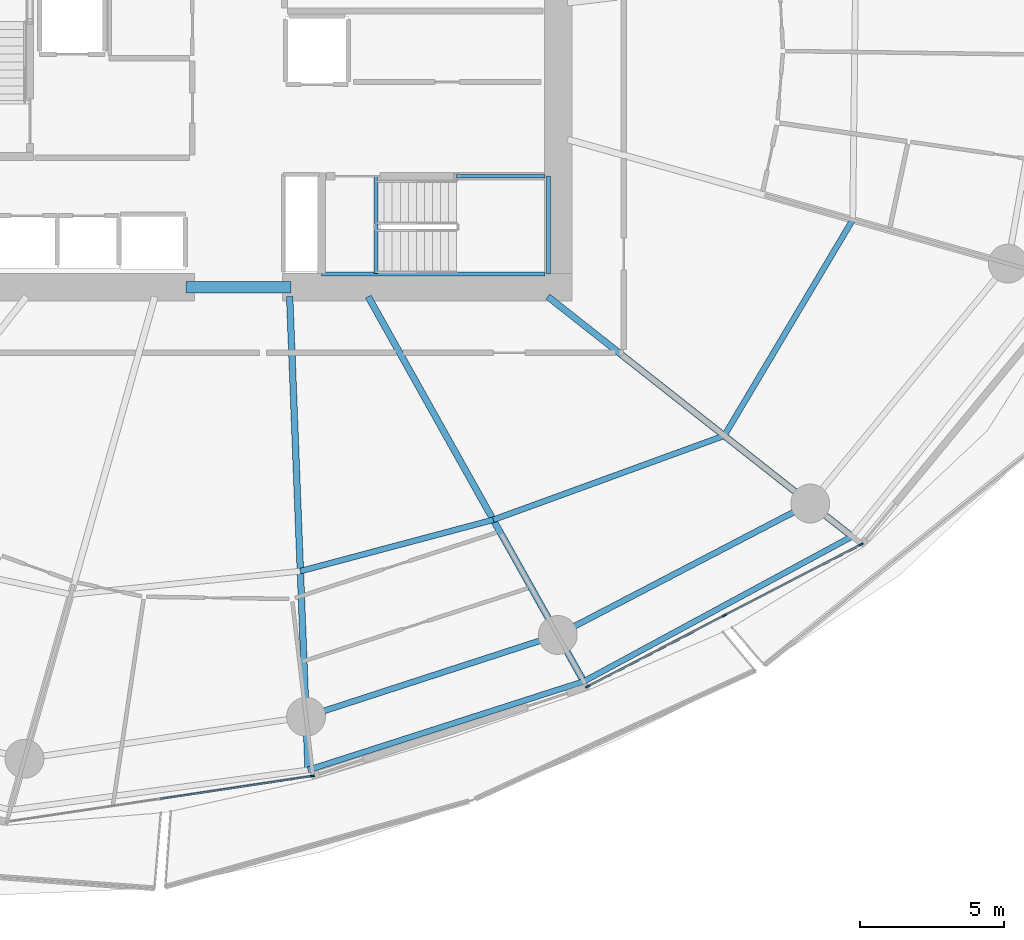
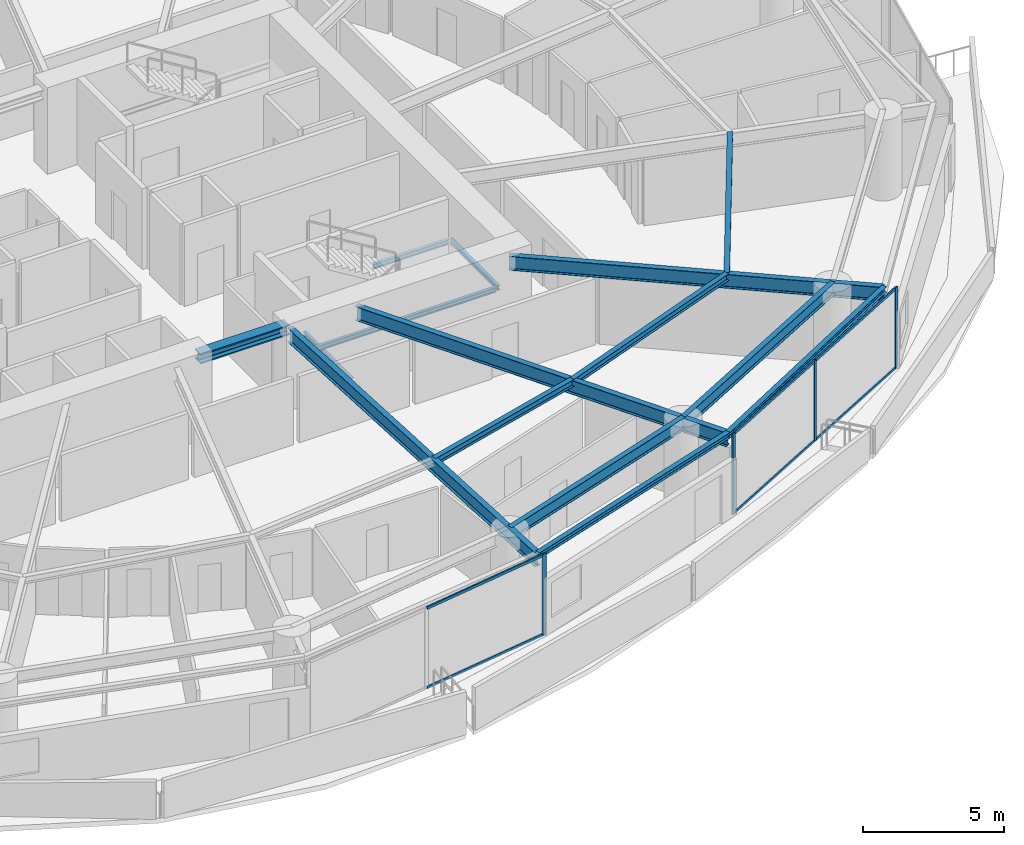
# One storey, part 10 of 31: 15 beams, 10 members, 2 elements without a shape of their own.
"""IFC4 building model written with IfcOpenShell, lengths in metres."""

from ifc_helpers import new_model, si_unit, direction, frame, origin, origin_2d, place, context, subcontext, project, spatial, rectangle, i_section, extrude, material, layer, layer_set, material_profile, profile_set, type_object, element, aggregate, save


model = new_model("IFC4")

# Units and contexts
model_context = context("Model", 3, precision=1e-05, world=origin(), true_north=direction((0.0, 1.0)))
body_context = subcontext(model_context, "Body", "Model", "MODEL_VIEW")
ifc_project = project(units=[si_unit("LENGTHUNIT", "METRE"), si_unit("AREAUNIT", "SQUARE_METRE"), si_unit("VOLUMEUNIT", "CUBIC_METRE"), si_unit("PLANEANGLEUNIT", "RADIAN"), si_unit("MASSUNIT", "GRAM", prefix="KILO")], contexts=[model_context])

# Site, building, storey
site_placement = place(None, origin())
site = spatial("IfcSite", under=ifc_project, at=site_placement, CompositionType="ELEMENT")
building_placement = place(site_placement, origin())
building = spatial("IfcBuilding", under=site, at=building_placement, Name="Kazma Halo Residences", CompositionType="ELEMENT")
storey_placement = place(building_placement, frame((0.0, 0.0, 48.89990234375)))
storey = spatial("IfcBuildingStorey", under=building, at=storey_placement, Name="L11", CompositionType="ELEMENT", Elevation=48.89990234375)

# Beams
ifc_material_1 = material(Name="Steel S355", Category="steel")
ifc_material_profile_1 = material_profile(ifc_material_1, i_section(OverallWidth=0.201904296875, OverallDepth=0.2470703125, WebThickness=0.00732421875, FlangeThickness=0.010986328125, FilletRadius=0.011962890625, at=origin_2d()), Name="W250x49.1")
ifc_profile_set_1 = profile_set([ifc_material_profile_1], Name="Steel S355")
beam_type_1 = type_object("IfcBeamType", Name="BM-BAL-CANT", PredefinedType="BEAM", material=ifc_profile_set_1)
beam_1_placement = place(storey_placement, frame((50.84033203125, 16.761962890625, 3.376708984375), z_axis=(0.952101049535, 0.305783569662, 0.0), x_axis=(-0.305783569662, 0.952101049535, 0.0)))
element("IfcBeam", 1, at=beam_1_placement, inside=storey, type_object=beam_type_1, Name="L11 wave-balcony tie beam 12", PredefinedType="BEAM", context=body_context, shape_type="SweptSolid", body=[
    extrude(i_section(OverallWidth=0.201904296875, OverallDepth=0.2470703125, WebThickness=0.00732421875, FlangeThickness=0.010986328125, FilletRadius=0.011962890625, at=origin_2d()), origin(), (0.0, 0.0, 1.0), 10.053466796875),
])
beam_2_placement = place(storey_placement, frame((60.412353515625, 19.836181640625, 3.376708984375), z_axis=(0.879759421466, 0.47541914175, 0.0), x_axis=(-0.47541914175, 0.879759421466, 0.0)))
element("IfcBeam", 2, at=beam_2_placement, inside=storey, type_object=beam_type_1, Name="L11 wave-balcony tie beam 13", PredefinedType="BEAM", context=body_context, shape_type="SweptSolid", body=[
    extrude(i_section(OverallWidth=0.201904296875, OverallDepth=0.2470703125, WebThickness=0.00732421875, FlangeThickness=0.010986328125, FilletRadius=0.011962890625, at=origin_2d()), origin(), (0.0, 0.0, 1.0), 10.58935546875),
])
ifc_material_profile_2 = material_profile(ifc_material_1, i_section(OverallWidth=0.408935546875, OverallDepth=0.425048828125, WebThickness=0.03271484375, FlangeThickness=0.052490234375, FilletRadius=0.02001953125, at=origin_2d()), Name="W360x421")
ifc_profile_set_2 = profile_set([ifc_material_profile_2], Name="Steel S355")
beam_type_2 = type_object("IfcBeamType", Name="BM-CORE-W360H", PredefinedType="BEAM", material=ifc_profile_set_2)
beam_3_placement = place(storey_placement, frame((46.60009765625, 33.52490234375, 3.28759765625), z_axis=(1.0, 0.0, 0.0), x_axis=(0.0, 1.0, 0.0)))
element("IfcBeam", 3, at=beam_3_placement, inside=storey, type_object=beam_type_2, Name="L11 core coupling beam S", PredefinedType="BEAM", context=body_context, shape_type="SweptSolid", body=[
    extrude(i_section(OverallWidth=0.408935546875, OverallDepth=0.425048828125, WebThickness=0.03271484375, FlangeThickness=0.052490234375, FilletRadius=0.02001953125, at=origin_2d()), origin(), (0.0, 0.0, 1.0), 3.64990234375),
])
ifc_material_profile_3 = material_profile(ifc_material_1, i_section(OverallWidth=0.22802734375, OverallDepth=0.60791015625, WebThickness=0.01123046875, FlangeThickness=0.017333984375, FilletRadius=0.01806640625, at=origin_2d()), Name="W610x113")
ifc_profile_set_3 = profile_set([ifc_material_profile_3], Name="Steel S355")
beam_type_3 = type_object("IfcBeamType", Name="BM-RAD-W610", PredefinedType="BEAM", material=ifc_profile_set_3)
beam_4_placement = place(storey_placement, frame((50.199951171875, 33.199951171875, 3.196044921875), z_axis=(0.038927845379, -0.999242024163, 0.0), x_axis=(0.999242024163, 0.038927845379, 0.0)))
element("IfcBeam", 4, at=beam_4_placement, inside=storey, type_object=beam_type_3, Name="L11 radial floor beam 12", PredefinedType="BEAM", context=body_context, shape_type="SweptSolid", body=[
    extrude(i_section(OverallWidth=0.22802734375, OverallDepth=0.60791015625, WebThickness=0.01123046875, FlangeThickness=0.017333984375, FilletRadius=0.01806640625, at=origin_2d()), origin(), (0.0, 0.0, 1.0), 16.450439453125),
])
beam_5_placement = place(storey_placement, frame((52.92822265625, 33.199951171875, 3.196044921875), z_axis=(0.488624239587, -0.872494328055, 0.0), x_axis=(0.872494328055, 0.488624239587, 0.0)))
element("IfcBeam", 5, at=beam_5_placement, inside=storey, type_object=beam_type_3, Name="L11 radial floor beam 13", PredefinedType="BEAM", context=body_context, shape_type="SweptSolid", body=[
    extrude(i_section(OverallWidth=0.22802734375, OverallDepth=0.60791015625, WebThickness=0.01123046875, FlangeThickness=0.017333984375, FilletRadius=0.01806640625, at=origin_2d()), origin(), (0.0, 0.0, 1.0), 15.316650390625),
])
beam_6_placement = place(storey_placement, frame((59.16259765625, 33.199951171875, 3.196044921875), z_axis=(0.785322437877, -0.619086963655, 0.0), x_axis=(0.619086963655, 0.785322437877, 0.0)))
element("IfcBeam", 6, at=beam_6_placement, inside=storey, type_object=beam_type_3, Name="L11 radial floor beam 14", PredefinedType="BEAM", context=body_context, shape_type="SweptSolid", body=[
    extrude(i_section(OverallWidth=0.22802734375, OverallDepth=0.60791015625, WebThickness=0.01123046875, FlangeThickness=0.017333984375, FilletRadius=0.01806640625, at=origin_2d()), origin(), (0.0, 0.0, 1.0), 13.454345703125),
])
ifc_material_profile_4 = material_profile(ifc_material_1, i_section(OverallWidth=0.202880859375, OverallDepth=0.302978515625, WebThickness=0.007568359375, FlangeThickness=0.01318359375, FilletRadius=0.013916015625, at=origin_2d()), Name="W310x60")
ifc_profile_set_4 = profile_set([ifc_material_profile_4], Name="Steel S355")
beam_type_4 = type_object("IfcBeamType", Name="BM-SEC-W310A", PredefinedType="JOIST", material=ifc_profile_set_4)
beam_7_placement = place(storey_placement, frame((50.5712890625, 23.666015625, 3.3486328125), z_axis=(0.966337757832, 0.257276772735, 0.0), x_axis=(-0.257276772735, 0.966337757832, 0.0)))
element("IfcBeam", 7, at=beam_7_placement, inside=storey, type_object=beam_type_4, Name="L11 circumferential floor joist 12", PredefinedType="JOIST", context=body_context, shape_type="SweptSolid", body=[
    extrude(i_section(OverallWidth=0.202880859375, OverallDepth=0.302978515625, WebThickness=0.007568359375, FlangeThickness=0.01318359375, FilletRadius=0.013916015625, at=origin_2d()), origin(), (0.0, 0.0, 1.0), 6.93115234375),
])
beam_8_placement = place(storey_placement, frame((57.26904296875, 25.44921875, 3.3486328125), z_axis=(0.939695690299, 0.34201170979, 0.0), x_axis=(-0.34201170979, 0.939695690299, 0.0)))
element("IfcBeam", 8, at=beam_8_placement, inside=storey, type_object=beam_type_4, Name="L11 circumferential floor joist 13", PredefinedType="JOIST", context=body_context, shape_type="SweptSolid", body=[
    extrude(i_section(OverallWidth=0.202880859375, OverallDepth=0.302978515625, WebThickness=0.007568359375, FlangeThickness=0.01318359375, FilletRadius=0.013916015625, at=origin_2d()), origin(), (0.0, 0.0, 1.0), 8.536865234375),
])
beam_9_placement = place(storey_placement, frame((65.291015625, 28.368896484375, 3.3486328125), z_axis=(0.511331320511, 0.859383663252, 0.0), x_axis=(-0.859383663252, 0.511331320511, 0.0)))
element("IfcBeam", 9, at=beam_9_placement, inside=storey, type_object=beam_type_4, Name="L11 circumferential floor joist 14", PredefinedType="JOIST", context=body_context, shape_type="SweptSolid", body=[
    extrude(i_section(OverallWidth=0.202880859375, OverallDepth=0.302978515625, WebThickness=0.007568359375, FlangeThickness=0.01318359375, FilletRadius=0.013916015625, at=origin_2d()), origin(), (0.0, 0.0, 1.0), 8.72314453125),
])
ifc_material_profile_5 = material_profile(ifc_material_1, i_section(OverallWidth=0.208984375, OverallDepth=0.532958984375, WebThickness=0.01025390625, FlangeThickness=0.015625, FilletRadius=0.01611328125, at=origin_2d()), Name="W530x92")
ifc_profile_set_5 = profile_set([ifc_material_profile_5], Name="Steel S355")
beam_type_5 = type_object("IfcBeamType", Name="BM-SPN-W530", PredefinedType="BEAM", material=ifc_profile_set_5)
beam_10_placement = place(storey_placement, frame((50.768310546875, 18.610595703125, 3.233642578125), z_axis=(0.951054956346, 0.309021795363, 0.0), x_axis=(-0.309021795363, 0.951054956346, 0.0)))
element("IfcBeam", 10, at=beam_10_placement, inside=storey, type_object=beam_type_5, Name="L11 perimeter ring beam 12", PredefinedType="BEAM", context=body_context, shape_type="SweptSolid", body=[
    extrude(i_section(OverallWidth=0.208984375, OverallDepth=0.532958984375, WebThickness=0.01025390625, FlangeThickness=0.015625, FilletRadius=0.01611328125, at=origin_2d()), origin(), (0.0, 0.0, 1.0), 9.189697265625),
])
beam_11_placement = place(storey_placement, frame((59.50830078125, 21.450439453125, 3.233642578125), z_axis=(0.886956241699, 0.461853467358, 0.0), x_axis=(-0.461853467358, 0.886956241699, 0.0)))
element("IfcBeam", 11, at=beam_11_placement, inside=storey, type_object=beam_type_5, Name="L11 perimeter ring beam 13", PredefinedType="BEAM", context=body_context, shape_type="SweptSolid", body=[
    extrude(i_section(OverallWidth=0.208984375, OverallDepth=0.532958984375, WebThickness=0.01025390625, FlangeThickness=0.015625, FilletRadius=0.01611328125, at=origin_2d()), origin(), (0.0, 0.0, 1.0), 9.885009765625),
])
ifc_material_profile_6 = material_profile(ifc_material_1, i_section(OverallWidth=0.133056640625, OverallDepth=0.20703125, WebThickness=0.005859375, FlangeThickness=0.00830078125, FilletRadius=0.010009765625, at=origin_2d()), Name="W200x26.6")
ifc_profile_set_6 = profile_set([ifc_material_profile_6], Name="Steel S355")
beam_type_6 = type_object("IfcBeamType", Name="BM-TRIM-W200", PredefinedType="BEAM", material=ifc_profile_set_6)
beam_12_placement = place(storey_placement, frame((53.199951171875, 34.0, -0.35986328125), z_axis=(0.0, 1.0, 0.0), x_axis=(-1.0, 0.0, 0.0)))
element("IfcBeam", 12, at=beam_12_placement, inside=storey, type_object=beam_type_6, Name="L11 ST-03 floor landing support beam", PredefinedType="BEAM", context=body_context, shape_type="SweptSolid", body=[
    extrude(i_section(OverallWidth=0.133056640625, OverallDepth=0.20703125, WebThickness=0.005859375, FlangeThickness=0.00830078125, FilletRadius=0.010009765625, at=origin_2d()), origin(), (0.0, 0.0, 1.0), 3.3798828125),
])
beam_13_placement = place(storey_placement, frame((51.31005859375, 33.97998046875, 1.570068359375), z_axis=(1.0, 0.0, 0.0), x_axis=(0.0, 1.0, 0.0)))
element("IfcBeam", 13, at=beam_13_placement, inside=storey, type_object=beam_type_6, Name="L11 ST-03 landing south wall ledger", PredefinedType="BEAM", context=body_context, shape_type="SweptSolid", body=[
    extrude(i_section(OverallWidth=0.133056640625, OverallDepth=0.20703125, WebThickness=0.005859375, FlangeThickness=0.00830078125, FilletRadius=0.010009765625, at=origin_2d()), origin(), (0.0, 0.0, 1.0), 7.760009765625),
])
beam_14_placement = place(storey_placement, frame((56.0, 37.3798828125, 1.570068359375), z_axis=(1.0, 0.0, 0.0), x_axis=(0.0, 1.0, 0.0)))
element("IfcBeam", 14, at=beam_14_placement, inside=storey, type_object=beam_type_6, Name="L11 ST-03 landing north wall ledger", PredefinedType="BEAM", context=body_context, shape_type="SweptSolid", body=[
    extrude(i_section(OverallWidth=0.133056640625, OverallDepth=0.20703125, WebThickness=0.005859375, FlangeThickness=0.00830078125, FilletRadius=0.010009765625, at=origin_2d()), origin(), (0.0, 0.0, 1.0), 3.070068359375),
])
beam_15_placement = place(storey_placement, frame((59.18994140625, 33.97998046875, 1.570068359375), z_axis=(0.0, 1.0, 0.0), x_axis=(-1.0, 0.0, 0.0)))
element("IfcBeam", 15, at=beam_15_placement, inside=storey, type_object=beam_type_6, Name="L11 ST-03 landing end wall ledger", PredefinedType="BEAM", context=body_context, shape_type="SweptSolid", body=[
    extrude(i_section(OverallWidth=0.133056640625, OverallDepth=0.20703125, WebThickness=0.005859375, FlangeThickness=0.00830078125, FilletRadius=0.010009765625, at=origin_2d()), origin(), (0.0, 0.0, 1.0), 3.39990234375),
])

# Curtain wall, member
ifc_material_2 = material(Name="Aluminium AW-6063 T6 and Triple-Silver Low-E Glass", Category="aluminium")
ifc_layer = layer(ifc_material_2, 0.159912109375)
ifc_layer_set = layer_set([ifc_layer], Name="Aluminium AW-6063 T6 and Triple-Silver Low-E Glass")
curtain_wall_type = type_object("IfcCurtainWallType", Name="CW-SYS-2", PredefinedType="NOTDEFINED", material=ifc_layer_set)
curtain_wall_1_placement = place(storey_placement, origin())
curtain_wall_1 = element("IfcCurtainWall", 16, at=curtain_wall_1_placement, inside=storey, type_object=curtain_wall_type, Name="L11 unitised curtain wall B11", PredefinedType="NOTDEFINED")
ifc_material_3 = material(Name="Aluminium AW-6063 T6", Category="aluminium")
ifc_material_profile_7 = material_profile(ifc_material_3, rectangle(XDim=0.06005859375, YDim=0.159912109375, at=origin_2d()), Name="CWM-60x160")
ifc_profile_set_7 = profile_set([ifc_material_profile_7], Name="Aluminium AW-6063 T6")
member_type_1 = type_object("IfcMemberType", Name="CW-SYS-2-MUL", PredefinedType="MULLION", material=ifc_profile_set_7)
member_1_placement = place(storey_placement, frame((50.981689453125, 16.552490234375, 0.0), z_axis=(0.0, 0.0, 1.0), x_axis=(-0.148657272805, 0.988888777994, 0.0)))
member_1 = element("IfcMember", 17, at=member_1_placement, type_object=member_type_1, Name="CWS-2 mullion 3", PredefinedType="MULLION", context=body_context, shape_type="SweptSolid", body=[
    extrude(rectangle(XDim=0.06005859375, YDim=0.159912109375, at=origin_2d()), origin(), (0.0, 0.0, 1.0), 3.5),
])

# Curtain wall, members
curtain_wall_2_placement = place(storey_placement, origin())
curtain_wall_2 = element("IfcCurtainWall", 18, at=curtain_wall_2_placement, inside=storey, type_object=curtain_wall_type, Name="L11 unitised curtain wall B13", PredefinedType="NOTDEFINED")
member_2_placement = place(storey_placement, frame((60.54541015625, 19.659912109375, 0.0), z_axis=(0.0, 0.0, 1.0), x_axis=(-0.460995912628, 0.887402258584, 0.0)))
member_2 = element("IfcMember", 19, at=member_2_placement, type_object=member_type_1, Name="CWS-2 mullion 1", PredefinedType="MULLION", context=body_context, shape_type="SweptSolid", body=[
    extrude(rectangle(XDim=0.06005859375, YDim=0.159912109375, at=origin_2d()), origin(), (0.0, 0.0, 1.0), 3.5),
])
member_3_placement = place(storey_placement, frame((65.2919921875, 22.125732421875, 0.0), z_axis=(0.0, 0.0, 1.0), x_axis=(-0.460995912628, 0.887402258584, 0.0)))
member_3 = element("IfcMember", 20, at=member_3_placement, type_object=member_type_1, Name="CWS-2 mullion 2", PredefinedType="MULLION", context=body_context, shape_type="SweptSolid", body=[
    extrude(rectangle(XDim=0.06005859375, YDim=0.159912109375, at=origin_2d()), origin(), (0.0, 0.0, 1.0), 3.5),
])
member_4_placement = place(storey_placement, frame((70.03857421875, 24.591552734375, 0.0), z_axis=(0.0, 0.0, 1.0), x_axis=(-0.460995912628, 0.887402258584, 0.0)))
member_4 = element("IfcMember", 21, at=member_4_placement, type_object=member_type_1, Name="CWS-2 mullion 3", PredefinedType="MULLION", context=body_context, shape_type="SweptSolid", body=[
    extrude(rectangle(XDim=0.06005859375, YDim=0.159912109375, at=origin_2d()), origin(), (0.0, 0.0, 1.0), 3.5),
])

# Member
ifc_material_profile_8 = material_profile(ifc_material_3, rectangle(XDim=0.06005859375, YDim=0.1201171875, at=origin_2d()), Name="CWT-60x120")
ifc_profile_set_8 = profile_set([ifc_material_profile_8], Name="Aluminium AW-6063 T6")
member_type_2 = type_object("IfcMemberType", Name="CW-SYS-2-TRN", PredefinedType="USERDEFINED", material=ifc_profile_set_8)
member_5_placement = place(storey_placement, frame((45.721923828125, 15.761962890625, 0.030029296875), z_axis=(0.98889195415, 0.148636143041, 0.0), x_axis=(-0.148636143041, 0.98889195415, 0.0)))
member_5 = element("IfcMember", 22, at=member_5_placement, type_object=member_type_2, Name="CWS-2 transom 2.1", ObjectType="TRANSOM", PredefinedType="USERDEFINED", context=body_context, shape_type="SweptSolid", body=[
    extrude(rectangle(XDim=0.06005859375, YDim=0.1201171875, at=origin_2d()), origin(), (0.0, 0.0, 1.0), 5.2890625),
])

member_6_placement = place(storey_placement, frame((45.721923828125, 15.761962890625, 3.47021484375), z_axis=(0.98889195415, 0.148636143041, 0.0), x_axis=(-0.148636143041, 0.98889195415, 0.0)))
member_6 = element("IfcMember", 23, at=member_6_placement, type_object=member_type_2, Name="CWS-2 transom 2.2", ObjectType="TRANSOM", PredefinedType="USERDEFINED", context=body_context, shape_type="SweptSolid", body=[
    extrude(rectangle(XDim=0.06005859375, YDim=0.1201171875, at=origin_2d()), origin(), (0.0, 0.0, 1.0), 5.2890625),
])

aggregate(curtain_wall_1, [member_1, member_5, member_6])

member_7_placement = place(storey_placement, frame((60.572021484375, 19.673828125, 0.030029296875), z_axis=(0.887414738583, 0.460971888238, 0.0), x_axis=(-0.460971888238, 0.887414738583, 0.0)))
member_7 = element("IfcMember", 24, at=member_7_placement, type_object=member_type_2, Name="CWS-2 transom 1.1", ObjectType="TRANSOM", PredefinedType="USERDEFINED", context=body_context, shape_type="SweptSolid", body=[
    extrude(rectangle(XDim=0.06005859375, YDim=0.1201171875, at=origin_2d()), origin(), (0.0, 0.0, 1.0), 5.288818359375),
])

member_8_placement = place(storey_placement, frame((60.572021484375, 19.673828125, 3.47021484375), z_axis=(0.887414738583, 0.460971888238, 0.0), x_axis=(-0.460971888238, 0.887414738583, 0.0)))
member_8 = element("IfcMember", 25, at=member_8_placement, type_object=member_type_2, Name="CWS-2 transom 1.2", ObjectType="TRANSOM", PredefinedType="USERDEFINED", context=body_context, shape_type="SweptSolid", body=[
    extrude(rectangle(XDim=0.06005859375, YDim=0.1201171875, at=origin_2d()), origin(), (0.0, 0.0, 1.0), 5.288818359375),
])

member_9_placement = place(storey_placement, frame((65.318603515625, 22.1396484375, 0.030029296875), z_axis=(0.887414738583, 0.460971888238, 0.0), x_axis=(-0.460971888238, 0.887414738583, 0.0)))
member_9 = element("IfcMember", 26, at=member_9_placement, type_object=member_type_2, Name="CWS-2 transom 2.1", ObjectType="TRANSOM", PredefinedType="USERDEFINED", context=body_context, shape_type="SweptSolid", body=[
    extrude(rectangle(XDim=0.06005859375, YDim=0.1201171875, at=origin_2d()), origin(), (0.0, 0.0, 1.0), 5.288818359375),
])

member_10_placement = place(storey_placement, frame((65.318603515625, 22.1396484375, 3.47021484375), z_axis=(0.887414738583, 0.460971888238, 0.0), x_axis=(-0.460971888238, 0.887414738583, 0.0)))
member_10 = element("IfcMember", 27, at=member_10_placement, type_object=member_type_2, Name="CWS-2 transom 2.2", ObjectType="TRANSOM", PredefinedType="USERDEFINED", context=body_context, shape_type="SweptSolid", body=[
    extrude(rectangle(XDim=0.06005859375, YDim=0.1201171875, at=origin_2d()), origin(), (0.0, 0.0, 1.0), 5.288818359375),
])

aggregate(curtain_wall_2, [member_2, member_3, member_4, member_7, member_8, member_9, member_10])

save(model, "model.ifc")
